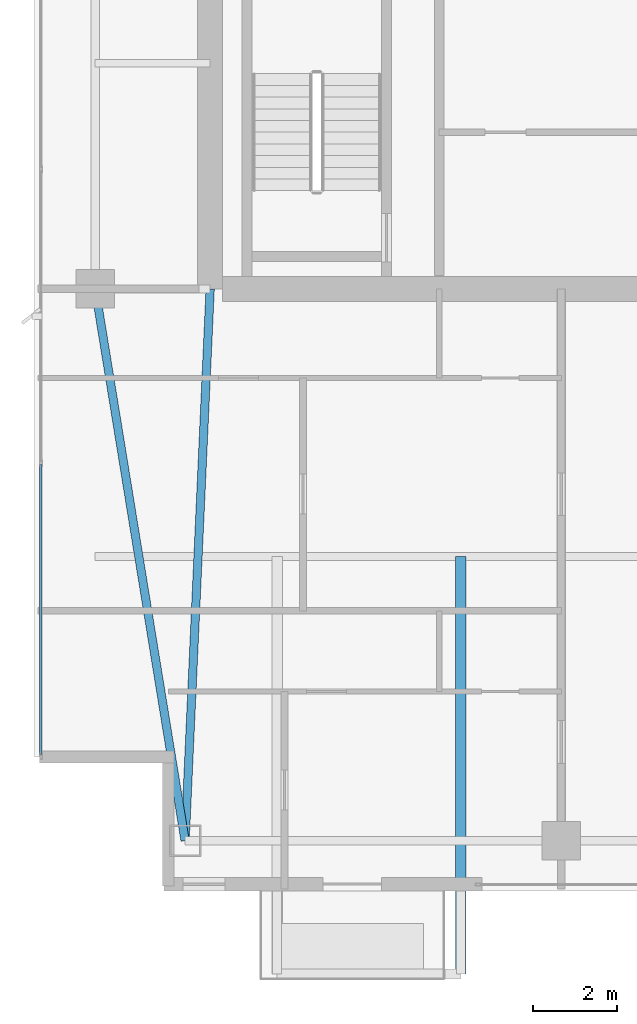
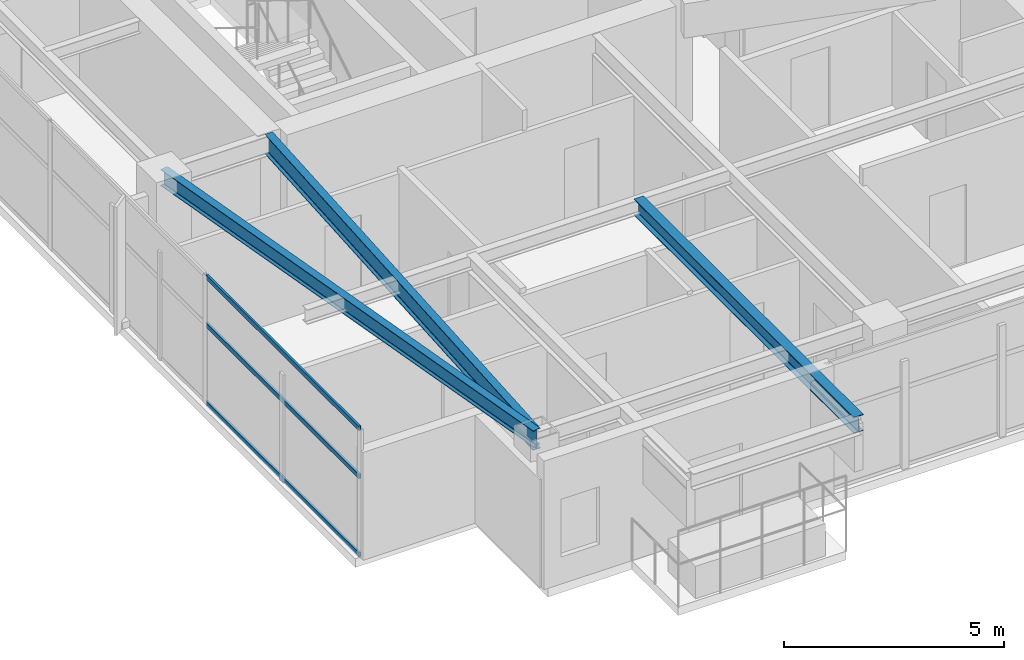
# One storey, part 4 of 28: 3 beams, 3 members, 1 element without a shape of its own.
"""IFC4 building model written with IfcOpenShell, lengths in metres."""

from ifc_helpers import new_model, si_unit, direction, frame, origin, origin_2d, place, context, subcontext, project, spatial, hollow_rectangle, i_section, extrude, material, layer, layer_set, material_profile, profile_set, type_object, element, aggregate, save


model = new_model("IFC4")

# Units and contexts
model_context = context("Model", 3, precision=1e-05, world=origin(), true_north=direction((0.0, 1.0)))
body_context = subcontext(model_context, "Body", "Model", "MODEL_VIEW")
ifc_project = project(units=[si_unit("LENGTHUNIT", "METRE"), si_unit("AREAUNIT", "SQUARE_METRE"), si_unit("VOLUMEUNIT", "CUBIC_METRE"), si_unit("PLANEANGLEUNIT", "RADIAN"), si_unit("MASSUNIT", "GRAM", prefix="KILO")], contexts=[model_context])

# Site, building, storey
site_placement = place(None, origin())
site = spatial("IfcSite", under=ifc_project, at=site_placement, CompositionType="ELEMENT")
building_placement = place(site_placement, origin())
building = spatial("IfcBuilding", under=site, at=building_placement, Name="Calvorn Quay Hotel", CompositionType="ELEMENT")
storey_placement = place(building_placement, frame((0.0, 0.0, 267.300048828125)))
storey = spatial("IfcBuildingStorey", under=building, at=storey_placement, Name="L66", CompositionType="ELEMENT", Elevation=267.300048828125)

# Beams
ifc_material_1 = material(Name="Steel Q355B", Category="steel")
ifc_material_profile_1 = material_profile(ifc_material_1, i_section(OverallWidth=0.25, OverallDepth=0.449951171875, WebThickness=0.011962890625, FlangeThickness=0.01611328125, FilletRadius=0.01611328125, at=origin_2d()), Name="HN450x250x12x16")
ifc_profile_set_1 = profile_set([ifc_material_profile_1], Name="Steel Q355B")
beam_type_1 = type_object("IfcBeamType", Name="BM-CANT-BALC", PredefinedType="BEAM", material=ifc_profile_set_1)
beam_1_placement = place(storey_placement, frame((10.199951171875, 10.39990234375, 3.31494140625), z_axis=(0.0, -1.0, 0.0), x_axis=(1.0, 0.0, 0.0)))
element("IfcBeam", 1, at=beam_1_placement, inside=storey, type_object=beam_type_1, Name="Cantilever Balcony Beam BCB-L67-2B", PredefinedType="BEAM", context=body_context, shape_type="SweptSolid", body=[
    extrude(i_section(OverallWidth=0.25, OverallDepth=0.449951171875, WebThickness=0.011962890625, FlangeThickness=0.01611328125, FilletRadius=0.01611328125, at=origin_2d()), origin(), (0.0, 0.0, 1.0), 9.989990234375),
])
ifc_material_2 = material(Name="Steel Q355B", Category="steel")
ifc_material_profile_2 = material_profile(ifc_material_2, i_section(OverallWidth=0.199951171875, OverallDepth=0.550048828125, WebThickness=0.010009765625, FlangeThickness=0.01611328125, FilletRadius=0.01806640625, at=origin_2d()), Name="HN550x200x10x16")
ifc_profile_set_2 = profile_set([ifc_material_profile_2], Name="Steel Q355B")
beam_type_2 = type_object("IfcBeamType", Name="BM-GIRD-UPP", PredefinedType="BEAM", material=ifc_profile_set_2)
beam_2_placement = place(storey_placement, frame((3.60009765625, 3.60009765625, 3.264892578125), z_axis=(0.045396765494, 0.998969035397, 0.0), x_axis=(-0.998969035397, 0.045396765494, 0.0)))
element("IfcBeam", 2, at=beam_2_placement, inside=storey, type_object=beam_type_2, Name="Beam BG-L66-W0", PredefinedType="BEAM", context=body_context, shape_type="SweptSolid", body=[
    extrude(i_section(OverallWidth=0.199951171875, OverallDepth=0.550048828125, WebThickness=0.010009765625, FlangeThickness=0.01611328125, FilletRadius=0.01806640625, at=origin_2d()), origin(), (0.0, 0.0, 1.0), 13.213623046875),
])
ifc_material_3 = material(Name="Steel Q355B", Category="steel")
ifc_material_profile_3 = material_profile(ifc_material_3, i_section(OverallWidth=0.199951171875, OverallDepth=0.449951171875, WebThickness=0.009033203125, FlangeThickness=0.013916015625, FilletRadius=0.01611328125, at=origin_2d()), Name="HN450x200x9x14")
ifc_profile_set_3 = profile_set([ifc_material_profile_3], Name="Steel Q355B")
beam_type_3 = type_object("IfcBeamType", Name="BM-SPANDREL-Z3", PredefinedType="SPANDREL", material=ifc_profile_set_3)
beam_3_placement = place(storey_placement, frame((3.60009765625, 3.60009765625, 3.31494140625), z_axis=(-0.16077155054, 0.986991645627, 0.0), x_axis=(-0.986991645627, -0.16077155054, 0.0)))
element("IfcBeam", 3, at=beam_3_placement, inside=storey, type_object=beam_type_3, Name="Beam BSP-L66-W1", PredefinedType="SPANDREL", context=body_context, shape_type="SweptSolid", body=[
    extrude(i_section(OverallWidth=0.199951171875, OverallDepth=0.449951171875, WebThickness=0.009033203125, FlangeThickness=0.013916015625, FilletRadius=0.01611328125, at=origin_2d()), origin(), (0.0, 0.0, 1.0), 13.3740234375),
])

# Curtain wall, members
ifc_material_4 = material(Name="Champagne Bronze Anodised Aluminium and Low-E Glass", Category="aluminium")
ifc_layer = layer(ifc_material_4, 0.219970703125)
ifc_layer_set = layer_set([ifc_layer], Name="CW-SYS-Z4")
curtain_wall_type = type_object("IfcCurtainWallType", Name="CW-SYS-Z4", PredefinedType="NOTDEFINED", material=ifc_layer_set)
curtain_wall_placement = place(storey_placement, origin())
curtain_wall = element("IfcCurtainWall", 4, at=curtain_wall_placement, inside=storey, type_object=curtain_wall_type, Name="Tower West Curtain Wall (L66)", PredefinedType="NOTDEFINED")
ifc_material_5 = material(Name="Champagne Bronze Anodised Aluminium 6063-T6", Category="aluminium")
ifc_material_profile_4 = material_profile(ifc_material_5, hollow_rectangle(XDim=0.054931640625, YDim=0.1298828125, WallThickness=0.003173828125, at=origin_2d()), Name="ALU-T130x55x3.2")
ifc_profile_set_4 = profile_set([ifc_material_profile_4], Name="Champagne Bronze Anodised Aluminium 6063-T6")
member_type = type_object("IfcMemberType", Name="CW-SYS-Z4-TRN", PredefinedType="USERDEFINED", material=ifc_profile_set_4)
member_1_placement = place(storey_placement, frame((0.14990234375, 5.659912109375, 0.030029296875), z_axis=(0.0, 1.0, 0.0), x_axis=(-1.0, 0.0, 0.0)))
member_1 = element("IfcMember", 5, at=member_1_placement, type_object=member_type, Name="CW-L66-W transom 1.1", ObjectType="TRANSOM", PredefinedType="USERDEFINED", context=body_context, shape_type="SweptSolid", body=[
    extrude(hollow_rectangle(XDim=0.054931640625, YDim=0.1298828125, WallThickness=0.003173828125, at=origin_2d()), origin(), (0.0, 0.0, 1.0), 6.943359375),
])
member_2_placement = place(storey_placement, frame((0.14990234375, 5.659912109375, 2.199951171875), z_axis=(0.0, 1.0, 0.0), x_axis=(-1.0, 0.0, 0.0)))
member_2 = element("IfcMember", 6, at=member_2_placement, type_object=member_type, Name="CW-L66-W transom 1.2", ObjectType="TRANSOM", PredefinedType="USERDEFINED", context=body_context, shape_type="SweptSolid", body=[
    extrude(hollow_rectangle(XDim=0.054931640625, YDim=0.1298828125, WallThickness=0.003173828125, at=origin_2d()), origin(), (0.0, 0.0, 1.0), 6.943359375),
])
member_3_placement = place(storey_placement, frame((0.14990234375, 5.659912109375, 3.530029296875), z_axis=(0.0, 1.0, 0.0), x_axis=(-1.0, 0.0, 0.0)))
member_3 = element("IfcMember", 7, at=member_3_placement, type_object=member_type, Name="CW-L66-W transom 1.3", ObjectType="TRANSOM", PredefinedType="USERDEFINED", context=body_context, shape_type="SweptSolid", body=[
    extrude(hollow_rectangle(XDim=0.054931640625, YDim=0.1298828125, WallThickness=0.003173828125, at=origin_2d()), origin(), (0.0, 0.0, 1.0), 6.943359375),
])
aggregate(curtain_wall, [member_1, member_2, member_3])

save(model, "model.ifc")
